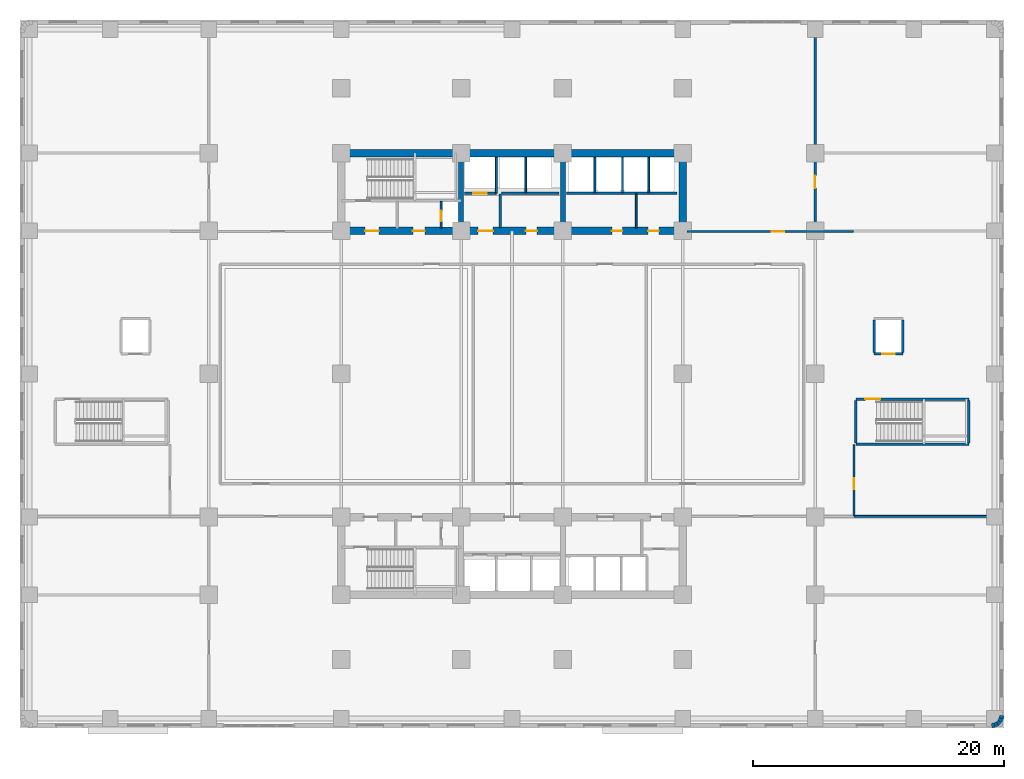
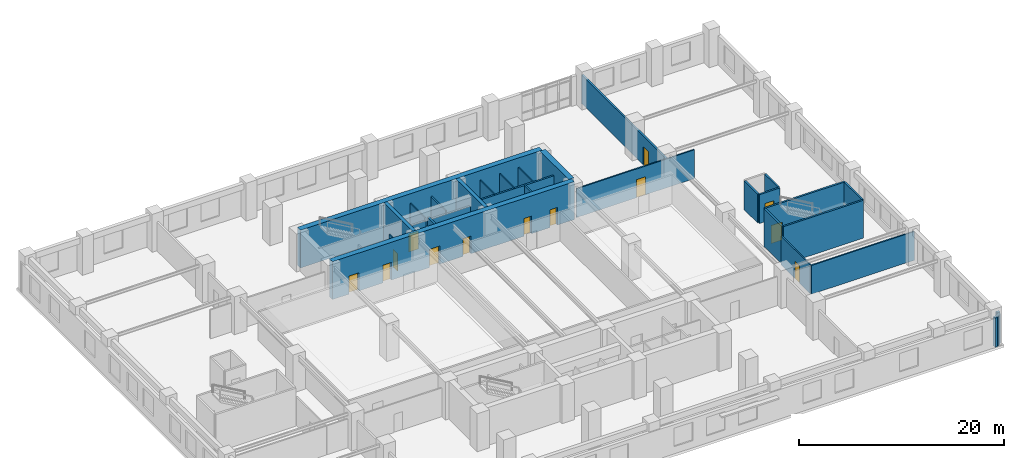
# One storey, part 9 of 15: 32 walls, 13 doors, 13 openings.
"""IFC4 building model written with IfcOpenShell, lengths in metres."""

import ifcopenshell
import ifcopenshell.guid

model = None  # the IFC model being written
_history = None  # IfcOwnerHistory: only IFC2X3 demands one
_inside = {}  # id of a spatial element -> (the spatial element, [elements in it])
_under = {}  # id of a project, library or spatial element -> (it, [spatial elements below it])
_declared = {}  # id of a project -> (the project, [libraries it declares])
_typed = {}  # id of a type object -> (the type object, [elements of that type])
_made_of = {}  # id of a material, layer set ... -> (it, [elements and type objects made of it])


def new_model(schema):
    """Start an empty IFC model of exactly this schema.

    Asked for "IFC4X3", IfcOpenShell would pick the latest addendum, in which some entities
    have other attributes; the version numbers below select the first issue.
    IFC2X3 requires an IfcOwnerHistory on every rooted entity: one is made here for all.
    """
    global model, _history
    if schema == "IFC4X3":
        model = ifcopenshell.file(schema_version=(4, 3, 0, 0))
    else:
        model = ifcopenshell.file(schema=schema)
    _inside.clear()
    _under.clear()
    _declared.clear()
    _typed.clear()
    _made_of.clear()
    _history = None
    if model.schema == "IFC2X3":
        org = make("IfcOrganization", Name="unknown")
        user = make(
            "IfcPersonAndOrganization",
            ThePerson=make("IfcPerson", FamilyName="unknown"),
            TheOrganization=org,
        )
        app = make(
            "IfcApplication",
            ApplicationDeveloper=org,
            Version="unknown",
            ApplicationFullName="unknown",
            ApplicationIdentifier="unknown",
        )
        _history = make(
            "IfcOwnerHistory",
            OwningUser=user,
            OwningApplication=app,
            ChangeAction="ADDED",
            CreationDate=0,
        )
    return model


def make(cls, **values):
    """One entity of the class cls with the attributes given. An attribute that is None is left unset."""
    return model.create_entity(
        cls, **{name: value for name, value in values.items() if value is not None}
    )


def rooted(cls, **values):
    """An entity with a GlobalId (a new one), such as an element, a storey or a relation."""
    return make(cls, GlobalId=ifcopenshell.guid.new(), OwnerHistory=_history, **values)


def si_unit(unit_type, name, prefix=None):
    """IfcSIUnit, for example si_unit("LENGTHUNIT", "METRE", prefix="MILLI")."""
    return make("IfcSIUnit", UnitType=unit_type, Prefix=prefix, Name=name)


def assignment(units):
    """IfcUnitAssignment: the units of a project."""
    return None if units is None else make("IfcUnitAssignment", Units=units)


def point(xyz):
    """IfcCartesianPoint."""
    return None if xyz is None else make("IfcCartesianPoint", Coordinates=xyz)


def direction(xyz):
    """IfcDirection."""
    return None if xyz is None else make("IfcDirection", DirectionRatios=xyz)


def frame(location, z_axis=None, x_axis=None):
    """IfcAxis2Placement3D, a coordinate frame: its origin and axes. An axis left out is left unset."""
    return make(
        "IfcAxis2Placement3D",
        Location=point(location),
        Axis=direction(z_axis),
        RefDirection=direction(x_axis),
    )


def frame_2d(location, x_axis=None):
    """IfcAxis2Placement2D, a coordinate frame in the plane: its origin and x axis."""
    return make(
        "IfcAxis2Placement2D", Location=point(location), RefDirection=direction(x_axis)
    )


def origin():
    """The frame at (0, 0, 0) with its axes left unset."""
    return frame((0.0, 0.0, 0.0))


def place(relative_to, where):
    """IfcLocalPlacement: puts the frame where relative to a parent placement (None: the world)."""
    return make(
        "IfcLocalPlacement", PlacementRelTo=relative_to, RelativePlacement=where
    )


def context(
    kind, dimensions, precision=None, world=None, true_north=None, identifier=None
):
    """IfcGeometricRepresentationContext, for example the 3D "Model" context."""
    return make(
        "IfcGeometricRepresentationContext",
        ContextIdentifier=identifier,
        ContextType=kind,
        CoordinateSpaceDimension=dimensions,
        Precision=precision,
        WorldCoordinateSystem=world,
        TrueNorth=true_north,
    )


def subcontext(parent, identifier, kind, view, scale=None):
    """IfcGeometricRepresentationSubContext, for example "Body" below "Model"."""
    return make(
        "IfcGeometricRepresentationSubContext",
        ContextIdentifier=identifier,
        ContextType=kind,
        ParentContext=parent,
        TargetScale=scale,
        TargetView=view,
    )


def project(units=None, contexts=None):
    """IfcProject with its units and contexts."""
    return rooted(
        "IfcProject",
        Name="project",
        RepresentationContexts=contexts,
        UnitsInContext=assignment(units),
    )


def spatial(cls, under=None, at=None, **own):
    """A site, building, storey or space (cls), placed at a placement, below another one or the project."""
    s = rooted(cls, ObjectPlacement=at, **own)
    if under is not None:
        _under.setdefault(under.id(), (under, []))[1].append(s)
    return s


def profile(cls, at=None, kind="AREA", **sizes):
    """A parametric profile (cls). Its sizes go by their IFC names, for example OverallWidth=200.0."""
    return make(cls, ProfileType=kind, Position=at, **sizes)


def rectangle(**sizes):
    """IfcRectangleProfileDef."""
    return profile("IfcRectangleProfileDef", **sizes)


def extrude(swept, where, along, depth):
    """IfcExtrudedAreaSolid: the profile swept, set in the frame where, extruded along a direction by depth."""
    return make(
        "IfcExtrudedAreaSolid",
        SweptArea=swept,
        Position=where,
        ExtrudedDirection=direction(along),
        Depth=depth,
    )


def shape(context_of_items, identifier, shape_type, items):
    """IfcShapeRepresentation: the items that make up one representation, for example the "Body"."""
    return make(
        "IfcShapeRepresentation",
        ContextOfItems=context_of_items,
        RepresentationIdentifier=identifier,
        RepresentationType=shape_type,
        Items=items,
    )


def material(Name=None, Category=None):
    """IfcMaterial."""
    return make("IfcMaterial", Name=Name, Category=Category)


def layer(
    of_material, thickness, ventilated=None, Name=None, Category=None, Priority=None
):
    """IfcMaterialLayer: one layer of a wall or slab, of a material (None: an air gap)."""
    return make(
        "IfcMaterialLayer",
        Material=of_material,
        LayerThickness=thickness,
        IsVentilated=ventilated,
        Name=Name,
        Category=Category,
        Priority=Priority,
    )


def layer_set(layers, Name=None):
    """IfcMaterialLayerSet."""
    return make("IfcMaterialLayerSet", MaterialLayers=layers, LayerSetName=Name)


def made_of(thing, what):
    """Note that an element or type object is made of a material, layer set ...; save() writes the relation."""
    if what is not None:
        _made_of.setdefault(what.id(), (what, []))[1].append(thing)
    return thing


def type_object(cls, material=None, **own):
    """A type object (cls), such as IfcWallType, which elements share."""
    return made_of(rooted(cls, **own), material)


def element(
    cls,
    number,
    at=None,
    inside=None,
    cuts=None,
    type_object=None,
    material=None,
    context=None,
    identifier="Body",
    shape_type=None,
    held_by="IfcProductDefinitionShape",
    body=None,
    shapes=None,
    **own,
):
    """One element of the class cls, such as IfcWall. Its Tag is "e" and its number.

    at: its placement. inside: the storey or other place that contains it. cuts: it is an
    opening in that element (IfcRelVoidsElement). A single representation is given by context,
    identifier, shape_type and body (its items); several are given by shapes. held_by: the class
    of the entity that holds the representations. save() writes the other relations.
    """
    e = rooted(cls, Tag="e%d" % number, ObjectPlacement=at, **own)
    if body is not None:
        shapes = [shape(context, identifier, shape_type, body)]
    if shapes is not None:
        e.Representation = make(held_by, Representations=shapes)
    if inside is not None:
        _inside.setdefault(inside.id(), (inside, []))[1].append(e)
    if cuts is not None:
        rooted(
            "IfcRelVoidsElement", RelatingBuildingElement=cuts, RelatedOpeningElement=e
        )
    if type_object is not None:
        _typed.setdefault(type_object.id(), (type_object, []))[1].append(e)
    return made_of(e, material)


def fill(opening, filler):
    """IfcRelFillsElement: the door or window that sits in an opening."""
    return rooted(
        "IfcRelFillsElement",
        RelatingOpeningElement=opening,
        RelatedBuildingElement=filler,
    )


def aggregate(whole, parts):
    """IfcRelAggregates: a whole, such as a stair, and the parts it consists of."""
    return rooted("IfcRelAggregates", RelatingObject=whole, RelatedObjects=parts)


def save(model, path):
    """Write the relations noted so far, then the file.

    IfcRelAggregates (storeys below a building ...), IfcRelContainedInSpatialStructure (elements
    in a storey), IfcRelDefinesByType, IfcRelAssociatesMaterial and IfcRelDeclares: one each for
    every whole, place, type object, material and project.
    """
    for whole, parts in _under.values():
        aggregate(whole, parts)
    for where, things in _inside.values():
        rooted(
            "IfcRelContainedInSpatialStructure",
            RelatedElements=things,
            RelatingStructure=where,
        )
    for kind, things in _typed.values():
        rooted("IfcRelDefinesByType", RelatedObjects=things, RelatingType=kind)
    for what, things in _made_of.values():
        rooted("IfcRelAssociatesMaterial", RelatedObjects=things, RelatingMaterial=what)
    for by, libraries in _declared.values():
        rooted("IfcRelDeclares", RelatingContext=by, RelatedDefinitions=libraries)
    model.write(path)


model = new_model("IFC4")

# Units and contexts
model_context = context("Model", 3, precision=1e-05, world=origin(), true_north=direction((0.0, 1.0)))
body_context = subcontext(model_context, "Body", "Model", "MODEL_VIEW")
ifc_project = project(units=[si_unit("LENGTHUNIT", "METRE"), si_unit("AREAUNIT", "SQUARE_METRE"), si_unit("VOLUMEUNIT", "CUBIC_METRE"), si_unit("PLANEANGLEUNIT", "RADIAN"), si_unit("MASSUNIT", "GRAM", prefix="KILO")], contexts=[model_context])

# Site, building, storey
site_placement = place(None, origin())
site = spatial("IfcSite", under=ifc_project, at=site_placement, CompositionType="ELEMENT")
building_placement = place(site_placement, origin())
building = spatial("IfcBuilding", under=site, at=building_placement, Name="Svetorya Sky Lyceum", CompositionType="ELEMENT")
storey_placement = place(building_placement, frame((0.0, 0.0, 6.60009765625)))
storey = spatial("IfcBuildingStorey", under=building, at=storey_placement, Name="L01", CompositionType="ELEMENT", Elevation=6.60009765625)

# Walls
ifc_material_1 = material(Name="Concrete C40/50", Category="concrete")
ifc_layer_1 = layer(ifc_material_1, 0.39990234375)
ifc_layer_set_1 = layer_set([ifc_layer_1], Name="Concrete C40/50")
wall_type_1 = type_object("IfcWallType", Name="WL-CORE-400", PredefinedType="SHEAR", material=ifc_layer_set_1)
for number, where, z_axis, x_axis, name in (
    (1, (35.14990234375, 39.89990234375, 0.0), (0.0, 0.0, 1.0), (0.0, 1.0, 0.0), "L01 NC Internal Shear Web WEB1"),
    (2, (43.25, 39.89990234375, 0.0), (0.0, 0.0, 1.0), (0.0, 1.0, 0.0), "L01 NC Internal Shear Web WEB2"),
):
    element("IfcWall", number, at=place(storey_placement, frame(where, z_axis=z_axis, x_axis=x_axis)), inside=storey, type_object=wall_type_1, Name=name, PredefinedType="SHEAR", context=body_context, shape_type="SweptSolid", body=[
        extrude(rectangle(XDim=5.60009765625, YDim=0.39990234375, at=frame_2d((2.800048828125, 0.0))), origin(), (0.0, 0.0, 1.0), 4.5),
    ])
ifc_material_2 = material(Name="Concrete C60/75", Category="concrete")
ifc_layer_2 = layer(ifc_material_2, 0.60009765625)
ifc_layer_set_2 = layer_set([ifc_layer_2], Name="Concrete C60/75")
wall_type_2 = type_object("IfcWallType", Name="WL-CORE-600", PredefinedType="SHEAR", material=ifc_layer_set_2)
wall_1_placement = place(storey_placement, frame((25.60009765625, 45.800048828125, 0.0), z_axis=(0.0, 0.0, 1.0), x_axis=(1.0, 0.0, 0.0)))
element("IfcWall", 3, at=wall_1_placement, inside=storey, type_object=wall_type_2, Name="L01 NC Outer Core Shear Wall", PredefinedType="SHEAR", context=body_context, shape_type="SweptSolid", body=[
    extrude(rectangle(XDim=27.199951171875, YDim=0.60009765625, at=frame_2d((13.60009765625, 0.0))), origin(), (0.0, 0.0, 1.0), 4.5),
])
wall_2_placement = place(storey_placement, frame((52.800048828125, 39.89990234375, 0.0), z_axis=(0.0, 0.0, 1.0), x_axis=(0.0, 1.0, 0.0)))
element("IfcWall", 4, at=wall_2_placement, inside=storey, type_object=wall_type_2, Name="L01 NC East Core Shear Wall", PredefinedType="SHEAR", context=body_context, shape_type="SweptSolid", body=[
    extrude(rectangle(XDim=5.60009765625, YDim=0.60009765625, at=frame_2d((2.800048828125, 0.0))), origin(), (0.0, 0.0, 1.0), 4.5),
])

# Wall, openings, doors
wall_3_placement = place(storey_placement, frame((52.800048828125, 39.60009765625, 0.0), z_axis=(0.0, 0.0, 1.0), x_axis=(-1.0, 0.0, 0.0)))
wall_3 = element("IfcWall", 5, at=wall_3_placement, inside=storey, type_object=wall_type_2, Name="L01 NC Inner Core Shear Wall", PredefinedType="SHEAR", context=body_context, shape_type="SweptSolid", body=[
    extrude(rectangle(XDim=27.199951171875, YDim=0.60009765625, at=frame_2d((13.60009765625, 0.0))), origin(), (0.0, 0.0, 1.0), 4.5),
])
opening_1_placement = place(wall_3_placement, frame((24.199951171875, 0.0, 0.0)))
opening_1 = element("IfcOpeningElement", 6, at=opening_1_placement, cuts=wall_3, Name="Opening D-ST1", PredefinedType="OPENING", context=body_context, shape_type="SweptSolid", body=[
    extrude(rectangle(XDim=1.10009765625, YDim=2.14990234375, at=frame_2d((0.550048828125, 1.074951171875))), frame((0.0, 0.31005859375, 0.0), z_axis=(0.0, -1.0, 0.0), x_axis=(1.0, 0.0, 0.0)), (0.0, 0.0, 1.0), 0.6201171875),
])
opening_2_placement = place(wall_3_placement, frame((20.550048828125, 0.0, 0.0)))
opening_2 = element("IfcOpeningElement", 7, at=opening_2_placement, cuts=wall_3, Name="Opening D-CAC1", PredefinedType="OPENING", context=body_context, shape_type="SweptSolid", body=[
    extrude(rectangle(XDim=0.949951171875, YDim=2.10009765625, at=frame_2d((0.47509765625, 1.050048828125))), frame((0.0, 0.31005859375, 0.0), z_axis=(0.0, -1.0, 0.0), x_axis=(1.0, 0.0, 0.0)), (0.0, 0.0, 1.0), 0.6201171875),
])
opening_3_placement = place(wall_3_placement, frame((15.10009765625, 0.0, 0.0)))
opening_3 = element("IfcOpeningElement", 8, at=opening_3_placement, cuts=wall_3, Name="Opening D-FL1", PredefinedType="OPENING", context=body_context, shape_type="SweptSolid", body=[
    extrude(rectangle(XDim=1.199951171875, YDim=2.14990234375, at=frame_2d((0.60009765625, 1.074951171875))), frame((0.0, 0.31005859375, 0.0), z_axis=(0.0, -1.0, 0.0), x_axis=(1.0, 0.0, 0.0)), (0.0, 0.0, 1.0), 0.6201171875),
])
opening_4_placement = place(wall_3_placement, frame((11.60009765625, 0.0, 0.0)))
opening_4 = element("IfcOpeningElement", 9, at=opening_4_placement, cuts=wall_3, Name="Opening D-RM1", PredefinedType="OPENING", context=body_context, shape_type="SweptSolid", body=[
    extrude(rectangle(XDim=0.89990234375, YDim=2.10009765625, at=frame_2d((0.449951171875, 1.050048828125))), frame((0.0, 0.31005859375, 0.0), z_axis=(0.0, -1.0, 0.0), x_axis=(1.0, 0.0, 0.0)), (0.0, 0.0, 1.0), 0.6201171875),
])
opening_5_placement = place(wall_3_placement, frame((4.800048828125, 0.0, 0.0)))
opening_5 = element("IfcOpeningElement", 10, at=opening_5_placement, cuts=wall_3, Name="Opening D-CWC1", PredefinedType="OPENING", context=body_context, shape_type="SweptSolid", body=[
    extrude(rectangle(XDim=0.85009765625, YDim=2.10009765625, at=frame_2d((0.425048828125, 1.050048828125))), frame((0.0, 0.31005859375, 0.0), z_axis=(0.0, -1.0, 0.0), x_axis=(1.0, 0.0, 0.0)), (0.0, 0.0, 1.0), 0.6201171875),
])
opening_6_placement = place(wall_3_placement, frame((1.89990234375, 0.0, 0.0)))
opening_6 = element("IfcOpeningElement", 11, at=opening_6_placement, cuts=wall_3, Name="Opening D-CWC1", PredefinedType="OPENING", context=body_context, shape_type="SweptSolid", body=[
    extrude(rectangle(XDim=0.85009765625, YDim=2.10009765625, at=frame_2d((0.425048828125, 1.050048828125))), frame((0.0, 0.31005859375, 0.0), z_axis=(0.0, -1.0, 0.0), x_axis=(1.0, 0.0, 0.0)), (0.0, 0.0, 1.0), 0.6201171875),
])
ifc_material_3 = material(Name="Fire-rated galvanized steel core accessible WC door", Category="steel")
door_type_1 = type_object("IfcDoorType", Name="DR-CACC-950", OperationType="SINGLE_SWING_LEFT", PredefinedType="DOOR", material=ifc_material_3)
door_1_placement = place(opening_2_placement, origin())
door_1 = element("IfcDoor", 12, at=door_1_placement, inside=storey, type_object=door_type_1, Name="L01 North Core Accessible WC Door", OperationType="SINGLE_SWING_RIGHT", OverallHeight=2.10009765625, OverallWidth=0.949951171875, PredefinedType="DOOR", context=body_context, shape_type="SweptSolid", body=[
    extrude(rectangle(XDim=0.949951171875, YDim=2.10009765625, at=frame_2d((0.47509765625, 1.050048828125))), frame((0.0, 0.02490234375, 0.0), z_axis=(0.0, -1.0, 0.0), x_axis=(1.0, 0.0, 0.0)), (0.0, 0.0, 1.0), 0.050048828125),
])
fill(opening_2, door_1)
ifc_material_4 = material(Name="Fire-rated galvanized steel core service closet door", Category="steel")
door_type_2 = type_object("IfcDoorType", Name="DR-CWET-850", OperationType="SINGLE_SWING_LEFT", PredefinedType="DOOR", material=ifc_material_4)
door_2_placement = place(opening_5_placement, origin())
door_2 = element("IfcDoor", 13, at=door_2_placement, inside=storey, type_object=door_type_2, Name="L01 North Pantry Door", OperationType="SINGLE_SWING_LEFT", OverallHeight=2.10009765625, OverallWidth=0.85009765625, PredefinedType="DOOR", context=body_context, shape_type="SweptSolid", body=[
    extrude(rectangle(XDim=0.85009765625, YDim=2.10009765625, at=frame_2d((0.425048828125, 1.050048828125))), frame((0.0, 0.02490234375, 0.0), z_axis=(0.0, -1.0, 0.0), x_axis=(1.0, 0.0, 0.0)), (0.0, 0.0, 1.0), 0.050048828125),
])
fill(opening_5, door_2)
door_3_placement = place(opening_6_placement, origin())
door_3 = element("IfcDoor", 14, at=door_3_placement, inside=storey, type_object=door_type_2, Name="L01 North Laundry Door", OperationType="SINGLE_SWING_RIGHT", OverallHeight=2.10009765625, OverallWidth=0.85009765625, PredefinedType="DOOR", context=body_context, shape_type="SweptSolid", body=[
    extrude(rectangle(XDim=0.85009765625, YDim=2.10009765625, at=frame_2d((0.425048828125, 1.050048828125))), frame((0.0, 0.02490234375, 0.0), z_axis=(0.0, -1.0, 0.0), x_axis=(1.0, 0.0, 0.0)), (0.0, 0.0, 1.0), 0.050048828125),
])
fill(opening_6, door_3)
ifc_material_5 = material(Name="Powder-coated insulated galvanized stair fire door")
door_type_3 = type_object("IfcDoorType", Name="DR-FIRE-1100", OperationType="SINGLE_SWING_LEFT", PredefinedType="DOOR", material=ifc_material_5)
door_4_placement = place(opening_1_placement, origin())
door_4 = element("IfcDoor", 15, at=door_4_placement, inside=storey, type_object=door_type_3, Name="L01 North Stair Airlock Door", OperationType="SINGLE_SWING_LEFT", OverallHeight=2.14990234375, OverallWidth=1.10009765625, PredefinedType="DOOR", context=body_context, shape_type="SweptSolid", body=[
    extrude(rectangle(XDim=1.10009765625, YDim=2.14990234375, at=frame_2d((0.550048828125, 1.074951171875))), frame((0.0, 0.02490234375, 0.0), z_axis=(0.0, -1.0, 0.0), x_axis=(1.0, 0.0, 0.0)), (0.0, 0.0, 1.0), 0.050048828125),
])
fill(opening_1, door_4)
ifc_material_6 = material(Name="Powder-coated insulated galvanized fire door")
door_type_4 = type_object("IfcDoorType", Name="DR-FIRE-1200", OperationType="SINGLE_SWING_LEFT", PredefinedType="DOOR", material=ifc_material_6)
door_5_placement = place(opening_3_placement, origin())
door_5 = element("IfcDoor", 16, at=door_5_placement, inside=storey, type_object=door_type_4, Name="L01 North Firefighting Lift Lobby Door", OperationType="SINGLE_SWING_RIGHT", OverallHeight=2.14990234375, OverallWidth=1.199951171875, PredefinedType="DOOR", context=body_context, shape_type="SweptSolid", body=[
    extrude(rectangle(XDim=1.199951171875, YDim=2.14990234375, at=frame_2d((0.60009765625, 1.074951171875))), frame((0.0, 0.02490234375, 0.0), z_axis=(0.0, -1.0, 0.0), x_axis=(1.0, 0.0, 0.0)), (0.0, 0.0, 1.0), 0.050048828125),
])
fill(opening_3, door_5)
ifc_material_7 = material(Name="Lacquered birch veneer internal door")
door_type_5 = type_object("IfcDoorType", Name="DR-INT-900", OperationType="SINGLE_SWING_LEFT", PredefinedType="DOOR", material=ifc_material_7)
door_6_placement = place(opening_4_placement, origin())
door_6 = element("IfcDoor", 17, at=door_6_placement, inside=storey, type_object=door_type_5, Name="L01 North Laundry Door", OperationType="SINGLE_SWING_RIGHT", OverallHeight=2.10009765625, OverallWidth=0.89990234375, PredefinedType="DOOR", context=body_context, shape_type="SweptSolid", body=[
    extrude(rectangle(XDim=0.89990234375, YDim=2.10009765625, at=frame_2d((0.449951171875, 1.050048828125))), frame((0.0, 0.02490234375, 0.0), z_axis=(0.0, -1.0, 0.0), x_axis=(1.0, 0.0, 0.0)), (0.0, 0.0, 1.0), 0.050048828125),
])
fill(opening_4, door_6)

# Walls
ifc_material_8 = material(Name="Putilovo limestone rainscreen on autoclaved cellular masonry", Category="masonry")
ifc_layer_3 = layer(ifc_material_8, 0.360107421875)
ifc_layer_set_3 = layer_set([ifc_layer_3], Name="Putilovo limestone rainscreen on autoclaved cellular masonry")
wall_type_3 = type_object("IfcWallType", Name="WL-EXT-360", PredefinedType="SOLIDWALL", material=ifc_layer_set_3)
wall_4_placement = place(storey_placement, frame((77.419921875, 0.179931640625, 0.0), z_axis=(0.0, 0.0, 1.0), x_axis=(0.987604361038, 0.156963773077, 0.0)))
element("IfcWall", 18, at=wall_4_placement, inside=storey, type_object=wall_type_3, Name="L01 Limestone Exterior Wall 7M", PredefinedType="SOLIDWALL", context=body_context, shape_type="SweptSolid", body=[
    extrude(rectangle(XDim=0.25048828125, YDim=0.360107421875, at=frame_2d((0.125244140625, 0.0))), origin(), (0.0, 0.0, 1.0), 3.47998046875),
])
for number, where, z_axis, x_axis, name in (
    (19, (77.667236328125, 0.21923828125, 0.0), (0.0, 0.0, 1.0), (0.891084182005, 0.453838055457, 0.0), "L01 Limestone Exterior Wall 8M"),
    (20, (77.89013671875, 0.332763671875, 0.0), (0.0, 0.0, 1.0), (0.707106781187, 0.707106781187, 0.0), "L01 Limestone Exterior Wall 9M"),
):
    element("IfcWall", number, at=place(storey_placement, frame(where, z_axis=z_axis, x_axis=x_axis)), inside=storey, type_object=wall_type_3, Name=name, PredefinedType="SOLIDWALL", context=body_context, shape_type="SweptSolid", body=[
        extrude(rectangle(XDim=0.250244140625, YDim=0.360107421875, at=frame_2d((0.125, 0.0))), origin(), (0.0, 0.0, 1.0), 3.47998046875),
    ])
wall_5_placement = place(storey_placement, frame((78.067138671875, 0.509765625, 0.0), z_axis=(0.0, 0.0, 1.0), x_axis=(0.454217786225, 0.89089067942, 0.0)))
element("IfcWall", 21, at=wall_5_placement, inside=storey, type_object=wall_type_3, Name="L01 Limestone Exterior Wall 10M", PredefinedType="SOLIDWALL", context=body_context, shape_type="SweptSolid", body=[
    extrude(rectangle(XDim=0.25048828125, YDim=0.360107421875, at=frame_2d((0.125244140625, 0.0))), origin(), (0.0, 0.0, 1.0), 3.47998046875),
])
wall_6_placement = place(storey_placement, frame((78.180908203125, 0.73291015625, 0.0), z_axis=(0.0, 0.0, 1.0), x_axis=(0.156163049852, 0.987731290312, 0.0)))
element("IfcWall", 22, at=wall_6_placement, inside=storey, type_object=wall_type_3, Name="L01 Limestone Exterior Wall 11M", PredefinedType="SOLIDWALL", context=body_context, shape_type="SweptSolid", body=[
    extrude(rectangle(XDim=0.250244140625, YDim=0.360107421875, at=frame_2d((0.125, 0.0))), origin(), (0.0, 0.0, 1.0), 3.47998046875),
])

# Wall, opening, door
ifc_material_9 = material(Name="Autoclaved cellular masonry blockwork with acoustic render", Category="masonry")
ifc_layer_4 = layer(ifc_material_9, 0.14990234375)
ifc_layer_set_4 = layer_set([ifc_layer_4], Name="Autoclaved cellular masonry blockwork with acoustic render")
wall_type_4 = type_object("IfcWallType", Name="WL-PART-150", PredefinedType="PARTITIONING", material=ifc_layer_set_4)
wall_7_placement = place(storey_placement, frame((33.550048828125, 39.820068359375, 0.0), z_axis=(0.0, 0.0, 1.0), x_axis=(0.0, 1.0, 0.0)))
wall_7 = element("IfcWall", 23, at=wall_7_placement, inside=storey, type_object=wall_type_4, Name="L01 Interior Partition NC-RSRW", PredefinedType="PARTITIONING", context=body_context, shape_type="SweptSolid", body=[
    extrude(rectangle(XDim=2.1298828125, YDim=0.14990234375, at=frame_2d((1.06494140625, 0.0))), origin(), (0.0, 0.0, 1.0), 3.419921875),
])
opening_7_placement = place(wall_7_placement, frame((0.550048828125, 0.0, 0.0)))
opening_7 = element("IfcOpeningElement", 24, at=opening_7_placement, cuts=wall_7, Name="Opening D-SH1", PredefinedType="OPENING", context=body_context, shape_type="SweptSolid", body=[
    extrude(rectangle(XDim=0.85009765625, YDim=2.050048828125, at=frame_2d((0.425048828125, 1.02490234375))), frame((0.0, 0.0849609375, 0.0), z_axis=(0.0, -1.0, 0.0), x_axis=(1.0, 0.0, 0.0)), (0.0, 0.0, 1.0), 0.169921875),
])
ifc_material_10 = material(Name="Insulated galvanized riser inspection fire door")
door_type_6 = type_object("IfcDoorType", Name="DR-SHFT-850", OperationType="SINGLE_SWING_LEFT", PredefinedType="TRAPDOOR", material=ifc_material_10)
door_7_placement = place(opening_7_placement, origin())
door_7 = element("IfcDoor", 25, at=door_7_placement, inside=storey, type_object=door_type_6, Name="L01 North Riser Access Door", OperationType="SINGLE_SWING_LEFT", OverallHeight=2.050048828125, OverallWidth=0.85009765625, PredefinedType="TRAPDOOR", context=body_context, shape_type="SweptSolid", body=[
    extrude(rectangle(XDim=0.85009765625, YDim=2.050048828125, at=frame_2d((0.425048828125, 1.02490234375))), frame((0.0, 0.02490234375, 0.0), z_axis=(0.0, -1.0, 0.0), x_axis=(1.0, 0.0, 0.0)), (0.0, 0.0, 1.0), 0.050048828125),
])
fill(opening_7, door_7)

# Walls
wall_8_placement = place(storey_placement, frame((37.949951171875, 42.60009765625, 0.0), z_axis=(0.0, 0.0, 1.0), x_axis=(0.0, 1.0, 0.0)))
element("IfcWall", 26, at=wall_8_placement, inside=storey, type_object=wall_type_4, Name="L01 Interior Partition NC-FL1SIDE", PredefinedType="PARTITIONING", context=body_context, shape_type="SweptSolid", body=[
    extrude(rectangle(XDim=2.849853515625, YDim=0.14990234375, at=frame_2d((1.4248046875, 0.0))), origin(), (0.0, 0.0, 1.0), 3.419921875),
])
for number, where, z_axis, x_axis, name in (
    (27, (40.300048828125, 42.64990234375, 0.0), (0.0, 0.0, 1.0), (0.0, 1.0, 0.0), "L01 Interior Partition NC-PM-D1"),
    (28, (45.800048828125, 42.64990234375, 0.0), (0.0, 0.0, 1.0), (0.0, 1.0, 0.0), "L01 Interior Partition NC-PM3-D"),
    (29, (48.0, 42.64990234375, 0.0), (0.0, 0.0, 1.0), (0.0, 1.0, 0.0), "L01 Interior Partition NC-PH-D1"),
    (30, (50.10009765625, 42.64990234375, 0.0), (0.0, 0.0, 1.0), (0.0, 1.0, 0.0), "L01 Interior Partition NC-PH-D2"),
):
    element("IfcWall", number, at=place(storey_placement, frame(where, z_axis=z_axis, x_axis=x_axis)), inside=storey, type_object=wall_type_4, Name=name, PredefinedType="PARTITIONING", context=body_context, shape_type="SweptSolid", body=[
        extrude(rectangle(XDim=2.800048828125, YDim=0.14990234375, at=frame_2d((1.39990234375, 0.0))), origin(), (0.0, 0.0, 1.0), 3.419921875),
    ])
wall_9_placement = place(storey_placement, frame((49.10009765625, 39.820068359375, 0.0), z_axis=(0.0, 0.0, 1.0), x_axis=(0.0, 1.0, 0.0)))
element("IfcWall", 31, at=wall_9_placement, inside=storey, type_object=wall_type_4, Name="L01 Interior Partition NC-EDH", PredefinedType="PARTITIONING", context=body_context, shape_type="SweptSolid", body=[
    extrude(rectangle(XDim=2.72998046875, YDim=0.14990234375, at=frame_2d((1.364990234375, 0.0))), origin(), (0.0, 0.0, 1.0), 3.419921875),
])

# Wall, opening, door
wall_10_placement = place(storey_placement, frame((66.449951171875, 16.89990234375, 0.0), z_axis=(0.0, 0.0, 1.0), x_axis=(0.0, 1.0, 0.0)))
wall_10 = element("IfcWall", 32, at=wall_10_placement, inside=storey, type_object=wall_type_4, Name="L01 Interior Partition STFE-W", PredefinedType="PARTITIONING", context=body_context, shape_type="SweptSolid", body=[
    extrude(rectangle(XDim=5.650146484375, YDim=0.14990234375, at=frame_2d((2.8251953125, 0.0))), origin(), (0.0, 0.0, 1.0), 3.419921875),
])
opening_8_placement = place(wall_10_placement, frame((2.10009765625, 0.0, 0.0)))
opening_8 = element("IfcOpeningElement", 33, at=opening_8_placement, cuts=wall_10, Name="Opening D-RM1", PredefinedType="OPENING", context=body_context, shape_type="SweptSolid", body=[
    extrude(rectangle(XDim=0.89990234375, YDim=2.10009765625, at=frame_2d((0.449951171875, 1.050048828125))), frame((0.0, 0.0849609375, 0.0), z_axis=(0.0, -1.0, 0.0), x_axis=(1.0, 0.0, 0.0)), (0.0, 0.0, 1.0), 0.169921875),
])
door_8_placement = place(opening_8_placement, origin())
door_8 = element("IfcDoor", 34, at=door_8_placement, inside=storey, type_object=door_type_5, Name="L01 Staff Workroom Door", OperationType="SINGLE_SWING_RIGHT", OverallHeight=2.10009765625, OverallWidth=0.89990234375, PredefinedType="DOOR", context=body_context, shape_type="SweptSolid", body=[
    extrude(rectangle(XDim=0.89990234375, YDim=2.10009765625, at=frame_2d((0.449951171875, 1.050048828125))), frame((0.0, 0.02490234375, 0.0), z_axis=(0.0, -1.0, 0.0), x_axis=(1.0, 0.0, 0.0)), (0.0, 0.0, 1.0), 0.050048828125),
])
fill(opening_8, door_8)

# Wall
wall_11_placement = place(storey_placement, frame((66.449951171875, 16.85009765625, 0.0), z_axis=(0.0, 0.0, 1.0), x_axis=(1.0, 0.0, 0.0)))
element("IfcWall", 35, at=wall_11_placement, inside=storey, type_object=wall_type_4, Name="L01 Interior Partition CLSE2-N", PredefinedType="PARTITIONING", context=body_context, shape_type="SweptSolid", body=[
    extrude(rectangle(XDim=11.550048828125, YDim=0.14990234375, at=frame_2d((5.77490234375, 0.0))), origin(), (0.0, 0.0, 1.0), 3.419921875),
])

# Wall, opening, door
wall_12_placement = place(storey_placement, frame((66.39990234375, 39.550048828125, 0.0), z_axis=(0.0, 0.0, 1.0), x_axis=(-1.0, 0.0, 0.0)))
wall_12 = element("IfcWall", 36, at=wall_12_placement, inside=storey, type_object=wall_type_4, Name="L01 Interior Partition NE-CORR", PredefinedType="PARTITIONING", context=body_context, shape_type="SweptSolid", body=[
    extrude(rectangle(XDim=13.25, YDim=0.14990234375, at=frame_2d((6.625, 0.0))), origin(), (0.0, 0.0, 1.0), 3.419921875),
])
opening_9_placement = place(wall_12_placement, frame((5.5, 0.0, 0.0)))
opening_9 = element("IfcOpeningElement", 37, at=opening_9_placement, cuts=wall_12, Name="Opening D-RM2", PredefinedType="OPENING", context=body_context, shape_type="SweptSolid", body=[
    extrude(rectangle(XDim=1.0, YDim=2.14990234375, at=frame_2d((0.5, 1.074951171875))), frame((0.0, 0.0849609375, 0.0), z_axis=(0.0, -1.0, 0.0), x_axis=(1.0, 0.0, 0.0)), (0.0, 0.0, 1.0), 0.169921875),
])
ifc_material_11 = material(Name="Solid-core oak acoustic room door")
door_type_7 = type_object("IfcDoorType", Name="DR-INT-1000", OperationType="SINGLE_SWING_LEFT", PredefinedType="DOOR", material=ifc_material_11)
door_9_placement = place(opening_9_placement, origin())
door_9 = element("IfcDoor", 38, at=door_9_placement, inside=storey, type_object=door_type_7, Name="L01 Classroom NE1 Door", OperationType="SINGLE_SWING_LEFT", OverallHeight=2.14990234375, OverallWidth=1.0, PredefinedType="DOOR", context=body_context, shape_type="SweptSolid", body=[
    extrude(rectangle(XDim=1.0, YDim=2.14990234375, at=frame_2d((0.5, 1.074951171875))), frame((0.0, 0.02490234375, 0.0), z_axis=(0.0, -1.0, 0.0), x_axis=(1.0, 0.0, 0.0)), (0.0, 0.0, 1.0), 0.050048828125),
])
fill(opening_9, door_9)

ifc_material_12 = material(Name="Autoclaved cellular masonry blockwork with gypsum plaster", Category="masonry")
ifc_layer_5 = layer(ifc_material_12, 0.199951171875)
ifc_layer_set_5 = layer_set([ifc_layer_5], Name="Autoclaved cellular masonry blockwork with gypsum plaster")
wall_type_5 = type_object("IfcWallType", Name="WL-PART-200", PredefinedType="PARTITIONING", material=ifc_layer_set_5)
wall_13_placement = place(storey_placement, frame((37.949951171875, 42.60009765625, 0.0), z_axis=(0.0, 0.0, 1.0), x_axis=(-1.0, 0.0, 0.0)))
wall_13 = element("IfcWall", 39, at=wall_13_placement, inside=storey, type_object=wall_type_5, Name="L01 Interior Partition NC-FL1W", PredefinedType="PARTITIONING", context=body_context, shape_type="SweptSolid", body=[
    extrude(rectangle(XDim=2.550048828125, YDim=0.199951171875, at=frame_2d((1.27490234375, 0.0))), origin(), (0.0, 0.0, 1.0), 3.079833984375),
])
opening_10_placement = place(wall_13_placement, frame((0.75, 0.0, 0.0)))
opening_10 = element("IfcOpeningElement", 40, at=opening_10_placement, cuts=wall_13, Name="Opening LD-FL", PredefinedType="OPENING", context=body_context, shape_type="SweptSolid", body=[
    extrude(rectangle(XDim=1.10009765625, YDim=2.14990234375, at=frame_2d((0.550048828125, 1.074951171875))), frame((0.0, 0.10986328125, 0.0), z_axis=(0.0, -1.0, 0.0), x_axis=(1.0, 0.0, 0.0)), (0.0, 0.0, 1.0), 0.219970703125),
])
ifc_material_13 = material(Name="Fire-rated stainless AISI 304 firefighting lift landing door")
door_type_8 = type_object("IfcDoorType", Name="DR-LIFT-1100", OperationType="SLIDING_TO_LEFT", PredefinedType="DOOR", material=ifc_material_13)
door_10_placement = place(opening_10_placement, origin())
door_10 = element("IfcDoor", 41, at=door_10_placement, inside=storey, type_object=door_type_8, Name="L01 Firefighting Lift FL1 Landing Door", OperationType="SLIDING_TO_LEFT", OverallHeight=2.14990234375, OverallWidth=1.10009765625, PredefinedType="DOOR", context=body_context, shape_type="SweptSolid", body=[
    extrude(rectangle(XDim=1.10009765625, YDim=2.14990234375, at=frame_2d((0.550048828125, 1.074951171875))), frame((0.0, 0.02490234375, 0.0), z_axis=(0.0, -1.0, 0.0), x_axis=(1.0, 0.0, 0.0)), (0.0, 0.0, 1.0), 0.050048828125),
])
fill(opening_10, door_10)

# Walls
wall_14_placement = place(storey_placement, frame((38.280029296875, 39.820068359375, 0.0), z_axis=(0.0, 0.0, 1.0), x_axis=(0.0, 1.0, 0.0)))
element("IfcWall", 42, at=wall_14_placement, inside=storey, type_object=wall_type_5, Name="L01 Interior Partition NC-FFLDIV", PredefinedType="PARTITIONING", context=body_context, shape_type="SweptSolid", body=[
    extrude(rectangle(XDim=2.72998046875, YDim=0.199951171875, at=frame_2d((1.364990234375, 0.0))), origin(), (0.0, 0.0, 1.0), 3.419921875),
])
wall_15_placement = place(storey_placement, frame((42.949951171875, 42.60009765625, 0.0), z_axis=(0.0, 0.0, 1.0), x_axis=(-1.0, 0.0, 0.0)))
element("IfcWall", 43, at=wall_15_placement, inside=storey, type_object=wall_type_5, Name="L01 Interior Partition NC-PM12W", PredefinedType="PARTITIONING", context=body_context, shape_type="SweptSolid", body=[
    extrude(rectangle(XDim=4.599853515625, YDim=0.199951171875, at=frame_2d((2.2998046875, 0.0))), origin(), (0.0, 0.0, 1.0), 3.079833984375),
])
wall_16_placement = place(storey_placement, frame((52.35009765625, 42.60009765625, 0.0), z_axis=(0.0, 0.0, 1.0), x_axis=(-1.0, 0.0, 0.0)))
element("IfcWall", 44, at=wall_16_placement, inside=storey, type_object=wall_type_5, Name="L01 Interior Partition NC-PHEW", PredefinedType="PARTITIONING", context=body_context, shape_type="SweptSolid", body=[
    extrude(rectangle(XDim=8.800048828125, YDim=0.199951171875, at=frame_2d((4.39990234375, 0.0))), origin(), (0.0, 0.0, 1.0), 3.419921875),
])
for number, where, z_axis, x_axis, name in (
    (45, (68.050048828125, 29.89990234375, 0.0), (0.0, 0.0, 1.0), (0.0, 1.0, 0.0), "L01 Interior Partition SHL-W-SCHL2"),
    (46, (70.35009765625, 29.89990234375, 0.0), (0.0, 0.0, 1.0), (0.0, 1.0, 0.0), "L01 Interior Partition SHL-E-SCHL2"),
):
    element("IfcWall", number, at=place(storey_placement, frame(where, z_axis=z_axis, x_axis=x_axis)), inside=storey, type_object=wall_type_5, Name=name, PredefinedType="PARTITIONING", context=body_context, shape_type="SweptSolid", body=[
        extrude(rectangle(XDim=2.60009765625, YDim=0.199951171875, at=frame_2d((1.300048828125, 0.0))), origin(), (0.0, 0.0, 1.0), 3.419921875),
    ])

# Wall, opening, door
wall_17_placement = place(storey_placement, frame((68.050048828125, 29.800048828125, 0.0), z_axis=(0.0, 0.0, 1.0), x_axis=(1.0, 0.0, 0.0)))
wall_17 = element("IfcWall", 47, at=wall_17_placement, inside=storey, type_object=wall_type_5, Name="L01 Interior Partition SHL-S-SCHL2", PredefinedType="PARTITIONING", context=body_context, shape_type="SweptSolid", body=[
    extrude(rectangle(XDim=2.300048828125, YDim=0.199951171875, at=frame_2d((1.14990234375, 0.0))), origin(), (0.0, 0.0, 1.0), 3.419921875),
])
opening_11_placement = place(wall_17_placement, frame((0.64990234375, 0.0, 0.0)))
opening_11 = element("IfcOpeningElement", 48, at=opening_11_placement, cuts=wall_17, Name="Opening LD-P1", PredefinedType="OPENING", context=body_context, shape_type="SweptSolid", body=[
    extrude(rectangle(XDim=1.0, YDim=2.14990234375, at=frame_2d((0.5, 1.074951171875))), frame((0.0, 0.10986328125, 0.0), z_axis=(0.0, -1.0, 0.0), x_axis=(1.0, 0.0, 0.0)), (0.0, 0.0, 1.0), 0.219970703125),
])
ifc_material_14 = material(Name="Champagne-anodized stainless passenger lift landing door")
door_type_9 = type_object("IfcDoorType", Name="DR-LIFT-1000", OperationType="SLIDING_TO_LEFT", PredefinedType="DOOR", material=ifc_material_14)
door_11_placement = place(opening_11_placement, origin())
door_11 = element("IfcDoor", 49, at=door_11_placement, inside=storey, type_object=door_type_9, Name="L01 Lyceum Lift SCHL2 Landing Door", OperationType="SLIDING_TO_LEFT", OverallHeight=2.14990234375, OverallWidth=1.0, PredefinedType="DOOR", context=body_context, shape_type="SweptSolid", body=[
    extrude(rectangle(XDim=1.0, YDim=2.14990234375, at=frame_2d((0.5, 1.074951171875))), frame((0.0, 0.02490234375, 0.0), z_axis=(0.0, -1.0, 0.0), x_axis=(1.0, 0.0, 0.0)), (0.0, 0.0, 1.0), 0.050048828125),
])
fill(opening_11, door_11)

wall_18_placement = place(storey_placement, frame((63.35009765625, 39.60009765625, 0.0), z_axis=(0.0, 0.0, 1.0), x_axis=(0.0, 1.0, 0.0)))
wall_18 = element("IfcWall", 50, at=wall_18_placement, inside=storey, type_object=wall_type_5, Name="L01 Interior Partition NE-DIV", PredefinedType="PARTITIONING", context=body_context, shape_type="SweptSolid", body=[
    extrude(rectangle(XDim=16.39990234375, YDim=0.199951171875, at=frame_2d((8.199951171875, 0.0))), origin(), (0.0, 0.0, 1.0), 3.419921875),
])
opening_12_placement = place(wall_18_placement, frame((3.39990234375, 0.0, 0.0)))
opening_12 = element("IfcOpeningElement", 51, at=opening_12_placement, cuts=wall_18, Name="Opening D-RM2", PredefinedType="OPENING", context=body_context, shape_type="SweptSolid", body=[
    extrude(rectangle(XDim=1.0, YDim=2.14990234375, at=frame_2d((0.5, 1.074951171875))), frame((0.0, 0.10986328125, 0.0), z_axis=(0.0, -1.0, 0.0), x_axis=(1.0, 0.0, 0.0)), (0.0, 0.0, 1.0), 0.219970703125),
])
door_12_placement = place(opening_12_placement, origin())
door_12 = element("IfcDoor", 52, at=door_12_placement, inside=storey, type_object=door_type_7, Name="L01 Studio Lab Door", OperationType="SINGLE_SWING_RIGHT", OverallHeight=2.14990234375, OverallWidth=1.0, PredefinedType="DOOR", context=body_context, shape_type="SweptSolid", body=[
    extrude(rectangle(XDim=1.0, YDim=2.14990234375, at=frame_2d((0.5, 1.074951171875))), frame((0.0, 0.02490234375, 0.0), z_axis=(0.0, -1.0, 0.0), x_axis=(1.0, 0.0, 0.0)), (0.0, 0.0, 1.0), 0.050048828125),
])
fill(opening_12, door_12)

# Walls
ifc_material_15 = material(Name="Concrete C50/60", Category="concrete")
ifc_layer_6 = layer(ifc_material_15, 0.199951171875)
ifc_layer_set_6 = layer_set([ifc_layer_6], Name="Concrete C50/60")
wall_type_6 = type_object("IfcWallType", Name="WL-SHW-200", PredefinedType="SHEAR", material=ifc_layer_set_6)
wall_19_placement = place(storey_placement, frame((66.60009765625, 22.60009765625, 0.0), z_axis=(0.0, 0.0, 1.0), x_axis=(1.0, 0.0, 0.0)))
element("IfcWall", 53, at=wall_19_placement, inside=storey, type_object=wall_type_6, Name="L01 Structural Stair Shaft Wall SCHW-S-E", PredefinedType="SHEAR", context=body_context, shape_type="SweptSolid", body=[
    extrude(rectangle(XDim=9.0, YDim=0.199951171875, at=frame_2d((4.5, 0.0))), origin(), (0.0, 0.0, 1.0), 4.5),
])
for number, where, z_axis, x_axis, name in (
    (54, (66.60009765625, 22.699951171875, 0.0), (0.0, 0.0, 1.0), (0.0, 1.0, 0.0), "L01 Structural Stair Shaft Wall SCHW-W-E"),
    (55, (75.60009765625, 22.699951171875, 0.0), (0.0, 0.0, 1.0), (0.0, 1.0, 0.0), "L01 Structural Stair Shaft Wall SCHW-E-E"),
):
    element("IfcWall", number, at=place(storey_placement, frame(where, z_axis=z_axis, x_axis=x_axis)), inside=storey, type_object=wall_type_6, Name=name, PredefinedType="SHEAR", context=body_context, shape_type="SweptSolid", body=[
        extrude(rectangle(XDim=3.400146484375, YDim=0.199951171875, at=frame_2d((1.7001953125, 0.0))), origin(), (0.0, 0.0, 1.0), 4.5),
    ])

# Wall, opening, door
wall_20_placement = place(storey_placement, frame((75.60009765625, 26.199951171875, 0.0), z_axis=(0.0, 0.0, 1.0), x_axis=(-1.0, 0.0, 0.0)))
wall_20 = element("IfcWall", 56, at=wall_20_placement, inside=storey, type_object=wall_type_6, Name="L01 Structural Stair Shaft Wall SCHW-N-E", PredefinedType="SHEAR", context=body_context, shape_type="SweptSolid", body=[
    extrude(rectangle(XDim=9.0, YDim=0.199951171875, at=frame_2d((4.5, 0.0))), origin(), (0.0, 0.0, 1.0), 4.5),
])
opening_13_placement = place(wall_20_placement, frame((7.050048828125, 0.0, 0.0)))
opening_13 = element("IfcOpeningElement", 57, at=opening_13_placement, cuts=wall_20, Name="Opening D-FL1", PredefinedType="OPENING", context=body_context, shape_type="SweptSolid", body=[
    extrude(rectangle(XDim=1.199951171875, YDim=2.14990234375, at=frame_2d((0.60009765625, 1.074951171875))), frame((0.0, 0.10986328125, 0.0), z_axis=(0.0, -1.0, 0.0), x_axis=(1.0, 0.0, 0.0)), (0.0, 0.0, 1.0), 0.219970703125),
])
door_13_placement = place(opening_13_placement, origin())
door_13 = element("IfcDoor", 58, at=door_13_placement, inside=storey, type_object=door_type_4, Name="L01 Lyceum Stair E Fire Door", OperationType="SINGLE_SWING_RIGHT", OverallHeight=2.14990234375, OverallWidth=1.199951171875, PredefinedType="DOOR", context=body_context, shape_type="SweptSolid", body=[
    extrude(rectangle(XDim=1.199951171875, YDim=2.14990234375, at=frame_2d((0.60009765625, 1.074951171875))), frame((0.0, 0.02490234375, 0.0), z_axis=(0.0, -1.0, 0.0), x_axis=(1.0, 0.0, 0.0)), (0.0, 0.0, 1.0), 0.050048828125),
])
fill(opening_13, door_13)

save(model, "model.ifc")
